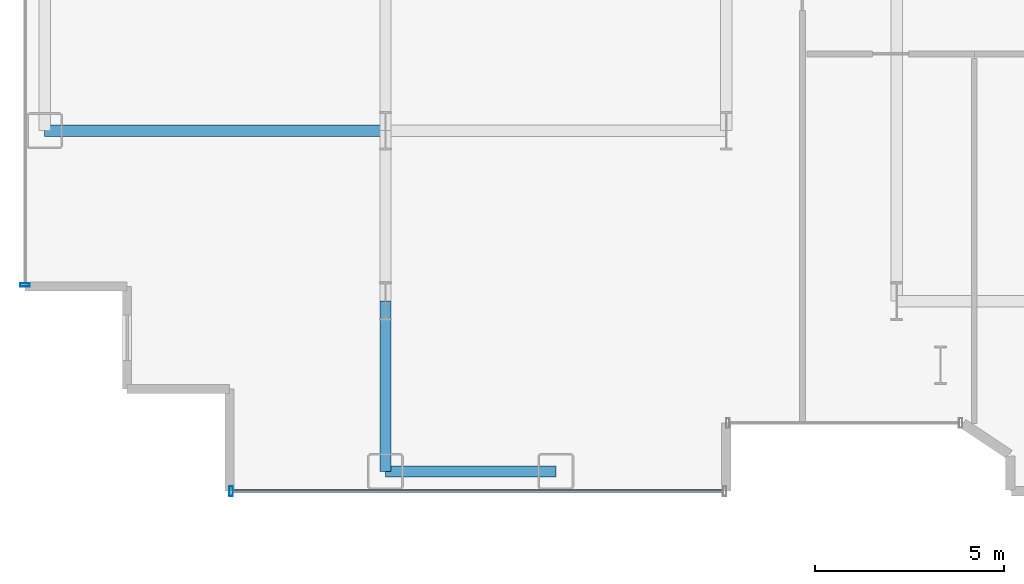
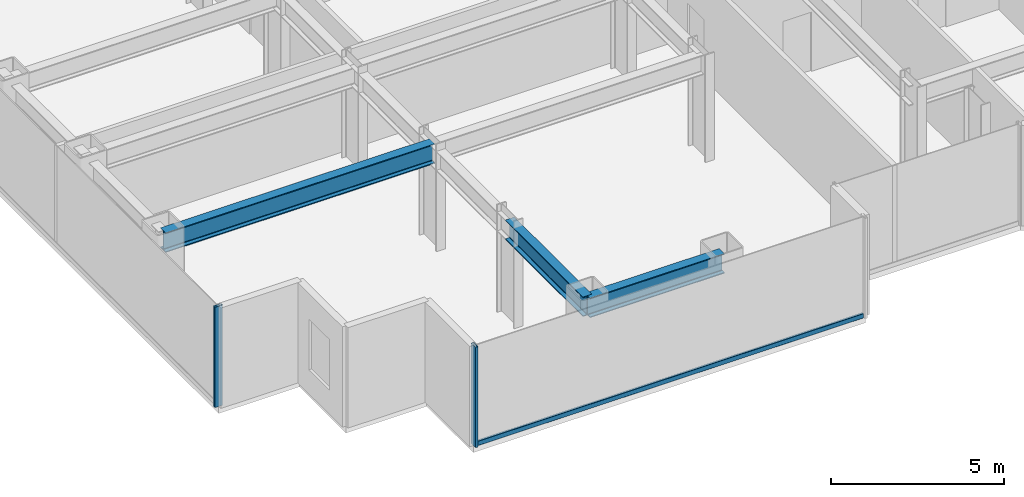
# One storey, part 2 of 26: 3 beams, 3 members, 2 elements without a shape of their own.
"""IFC4 building model written with IfcOpenShell, lengths in metres."""

import ifcopenshell
import ifcopenshell.guid

model = None  # the IFC model being written
_history = None  # IfcOwnerHistory: only IFC2X3 demands one
_inside = {}  # id of a spatial element -> (the spatial element, [elements in it])
_under = {}  # id of a project, library or spatial element -> (it, [spatial elements below it])
_declared = {}  # id of a project -> (the project, [libraries it declares])
_typed = {}  # id of a type object -> (the type object, [elements of that type])
_made_of = {}  # id of a material, layer set ... -> (it, [elements and type objects made of it])


def new_model(schema):
    """Start an empty IFC model of exactly this schema.

    Asked for "IFC4X3", IfcOpenShell would pick the latest addendum, in which some entities
    have other attributes; the version numbers below select the first issue.
    IFC2X3 requires an IfcOwnerHistory on every rooted entity: one is made here for all.
    """
    global model, _history
    if schema == "IFC4X3":
        model = ifcopenshell.file(schema_version=(4, 3, 0, 0))
    else:
        model = ifcopenshell.file(schema=schema)
    _inside.clear()
    _under.clear()
    _declared.clear()
    _typed.clear()
    _made_of.clear()
    _history = None
    if model.schema == "IFC2X3":
        org = make("IfcOrganization", Name="unknown")
        user = make(
            "IfcPersonAndOrganization",
            ThePerson=make("IfcPerson", FamilyName="unknown"),
            TheOrganization=org,
        )
        app = make(
            "IfcApplication",
            ApplicationDeveloper=org,
            Version="unknown",
            ApplicationFullName="unknown",
            ApplicationIdentifier="unknown",
        )
        _history = make(
            "IfcOwnerHistory",
            OwningUser=user,
            OwningApplication=app,
            ChangeAction="ADDED",
            CreationDate=0,
        )
    return model


def make(cls, **values):
    """One entity of the class cls with the attributes given. An attribute that is None is left unset."""
    return model.create_entity(
        cls, **{name: value for name, value in values.items() if value is not None}
    )


def rooted(cls, **values):
    """An entity with a GlobalId (a new one), such as an element, a storey or a relation."""
    return make(cls, GlobalId=ifcopenshell.guid.new(), OwnerHistory=_history, **values)


def si_unit(unit_type, name, prefix=None):
    """IfcSIUnit, for example si_unit("LENGTHUNIT", "METRE", prefix="MILLI")."""
    return make("IfcSIUnit", UnitType=unit_type, Prefix=prefix, Name=name)


def assignment(units):
    """IfcUnitAssignment: the units of a project."""
    return None if units is None else make("IfcUnitAssignment", Units=units)


def point(xyz):
    """IfcCartesianPoint."""
    return None if xyz is None else make("IfcCartesianPoint", Coordinates=xyz)


def direction(xyz):
    """IfcDirection."""
    return None if xyz is None else make("IfcDirection", DirectionRatios=xyz)


def frame(location, z_axis=None, x_axis=None):
    """IfcAxis2Placement3D, a coordinate frame: its origin and axes. An axis left out is left unset."""
    return make(
        "IfcAxis2Placement3D",
        Location=point(location),
        Axis=direction(z_axis),
        RefDirection=direction(x_axis),
    )


def frame_2d(location, x_axis=None):
    """IfcAxis2Placement2D, a coordinate frame in the plane: its origin and x axis."""
    return make(
        "IfcAxis2Placement2D", Location=point(location), RefDirection=direction(x_axis)
    )


def origin():
    """The frame at (0, 0, 0) with its axes left unset."""
    return frame((0.0, 0.0, 0.0))


def origin_2d():
    """The frame at (0, 0) in the plane with its x axis left unset."""
    return frame_2d((0.0, 0.0))


def place(relative_to, where):
    """IfcLocalPlacement: puts the frame where relative to a parent placement (None: the world)."""
    return make(
        "IfcLocalPlacement", PlacementRelTo=relative_to, RelativePlacement=where
    )


def context(
    kind, dimensions, precision=None, world=None, true_north=None, identifier=None
):
    """IfcGeometricRepresentationContext, for example the 3D "Model" context."""
    return make(
        "IfcGeometricRepresentationContext",
        ContextIdentifier=identifier,
        ContextType=kind,
        CoordinateSpaceDimension=dimensions,
        Precision=precision,
        WorldCoordinateSystem=world,
        TrueNorth=true_north,
    )


def subcontext(parent, identifier, kind, view, scale=None):
    """IfcGeometricRepresentationSubContext, for example "Body" below "Model"."""
    return make(
        "IfcGeometricRepresentationSubContext",
        ContextIdentifier=identifier,
        ContextType=kind,
        ParentContext=parent,
        TargetScale=scale,
        TargetView=view,
    )


def project(units=None, contexts=None):
    """IfcProject with its units and contexts."""
    return rooted(
        "IfcProject",
        Name="project",
        RepresentationContexts=contexts,
        UnitsInContext=assignment(units),
    )


def spatial(cls, under=None, at=None, **own):
    """A site, building, storey or space (cls), placed at a placement, below another one or the project."""
    s = rooted(cls, ObjectPlacement=at, **own)
    if under is not None:
        _under.setdefault(under.id(), (under, []))[1].append(s)
    return s


def profile(cls, at=None, kind="AREA", **sizes):
    """A parametric profile (cls). Its sizes go by their IFC names, for example OverallWidth=200.0."""
    return make(cls, ProfileType=kind, Position=at, **sizes)


def hollow_rectangle(**sizes):
    """IfcRectangleHollowProfileDef."""
    return profile("IfcRectangleHollowProfileDef", **sizes)


def i_section(**sizes):
    """IfcIShapeProfileDef."""
    return profile("IfcIShapeProfileDef", **sizes)


def extrude(swept, where, along, depth):
    """IfcExtrudedAreaSolid: the profile swept, set in the frame where, extruded along a direction by depth."""
    return make(
        "IfcExtrudedAreaSolid",
        SweptArea=swept,
        Position=where,
        ExtrudedDirection=direction(along),
        Depth=depth,
    )


def shape(context_of_items, identifier, shape_type, items):
    """IfcShapeRepresentation: the items that make up one representation, for example the "Body"."""
    return make(
        "IfcShapeRepresentation",
        ContextOfItems=context_of_items,
        RepresentationIdentifier=identifier,
        RepresentationType=shape_type,
        Items=items,
    )


def source(mapping_origin, context_of_items, identifier, shape_type, items):
    """IfcRepresentationMap: a shape defined once, which mapped items show again and again."""
    return make(
        "IfcRepresentationMap",
        MappingOrigin=mapping_origin,
        MappedRepresentation=shape(context_of_items, identifier, shape_type, items),
    )


def transform(
    local_origin,
    x_axis=None,
    y_axis=None,
    z_axis=None,
    scale=None,
    scale2=None,
    scale3=None,
    uniform=True,
):
    """IfcCartesianTransformationOperator3D, or its non-uniform kind. x_axis, y_axis, z_axis: its Axis1, 2, 3."""
    if uniform:
        return make(
            "IfcCartesianTransformationOperator3D",
            Axis1=direction(x_axis),
            Axis2=direction(y_axis),
            LocalOrigin=point(local_origin),
            Scale=scale,
            Axis3=direction(z_axis),
        )
    return make(
        "IfcCartesianTransformationOperator3DnonUniform",
        Axis1=direction(x_axis),
        Axis2=direction(y_axis),
        LocalOrigin=point(local_origin),
        Scale=scale,
        Axis3=direction(z_axis),
        Scale2=scale2,
        Scale3=scale3,
    )


def mapped(mapping_source, mapping_target):
    """IfcMappedItem: shows the shape of a source again, moved by a transform."""
    return make(
        "IfcMappedItem", MappingSource=mapping_source, MappingTarget=mapping_target
    )


def material(Name=None, Category=None):
    """IfcMaterial."""
    return make("IfcMaterial", Name=Name, Category=Category)


def layer(
    of_material, thickness, ventilated=None, Name=None, Category=None, Priority=None
):
    """IfcMaterialLayer: one layer of a wall or slab, of a material (None: an air gap)."""
    return make(
        "IfcMaterialLayer",
        Material=of_material,
        LayerThickness=thickness,
        IsVentilated=ventilated,
        Name=Name,
        Category=Category,
        Priority=Priority,
    )


def layer_set(layers, Name=None):
    """IfcMaterialLayerSet."""
    return make("IfcMaterialLayerSet", MaterialLayers=layers, LayerSetName=Name)


def material_profile(
    of_material, cross_section, Name=None, Category=None, Priority=None
):
    """IfcMaterialProfile: a cross section and its material."""
    return make(
        "IfcMaterialProfile",
        Name=Name,
        Material=of_material,
        Profile=cross_section,
        Priority=Priority,
        Category=Category,
    )


def profile_set(profiles, Name=None, composite=None):
    """IfcMaterialProfileSet."""
    return make(
        "IfcMaterialProfileSet",
        Name=Name,
        MaterialProfiles=profiles,
        CompositeProfile=composite,
    )


def made_of(thing, what):
    """Note that an element or type object is made of a material, layer set ...; save() writes the relation."""
    if what is not None:
        _made_of.setdefault(what.id(), (what, []))[1].append(thing)
    return thing


def type_object(cls, material=None, **own):
    """A type object (cls), such as IfcWallType, which elements share."""
    return made_of(rooted(cls, **own), material)


def element(
    cls,
    number,
    at=None,
    inside=None,
    cuts=None,
    type_object=None,
    material=None,
    context=None,
    identifier="Body",
    shape_type=None,
    held_by="IfcProductDefinitionShape",
    body=None,
    shapes=None,
    **own,
):
    """One element of the class cls, such as IfcWall. Its Tag is "e" and its number.

    at: its placement. inside: the storey or other place that contains it. cuts: it is an
    opening in that element (IfcRelVoidsElement). A single representation is given by context,
    identifier, shape_type and body (its items); several are given by shapes. held_by: the class
    of the entity that holds the representations. save() writes the other relations.
    """
    e = rooted(cls, Tag="e%d" % number, ObjectPlacement=at, **own)
    if body is not None:
        shapes = [shape(context, identifier, shape_type, body)]
    if shapes is not None:
        e.Representation = make(held_by, Representations=shapes)
    if inside is not None:
        _inside.setdefault(inside.id(), (inside, []))[1].append(e)
    if cuts is not None:
        rooted(
            "IfcRelVoidsElement", RelatingBuildingElement=cuts, RelatedOpeningElement=e
        )
    if type_object is not None:
        _typed.setdefault(type_object.id(), (type_object, []))[1].append(e)
    return made_of(e, material)


def aggregate(whole, parts):
    """IfcRelAggregates: a whole, such as a stair, and the parts it consists of."""
    return rooted("IfcRelAggregates", RelatingObject=whole, RelatedObjects=parts)


def save(model, path):
    """Write the relations noted so far, then the file.

    IfcRelAggregates (storeys below a building ...), IfcRelContainedInSpatialStructure (elements
    in a storey), IfcRelDefinesByType, IfcRelAssociatesMaterial and IfcRelDeclares: one each for
    every whole, place, type object, material and project.
    """
    for whole, parts in _under.values():
        aggregate(whole, parts)
    for where, things in _inside.values():
        rooted(
            "IfcRelContainedInSpatialStructure",
            RelatedElements=things,
            RelatingStructure=where,
        )
    for kind, things in _typed.values():
        rooted("IfcRelDefinesByType", RelatedObjects=things, RelatingType=kind)
    for what, things in _made_of.values():
        rooted("IfcRelAssociatesMaterial", RelatedObjects=things, RelatingMaterial=what)
    for by, libraries in _declared.values():
        rooted("IfcRelDeclares", RelatingContext=by, RelatedDefinitions=libraries)
    model.write(path)


model = new_model("IFC4")

# Units and contexts
model_context = context("Model", 3, precision=1e-05, world=origin(), true_north=direction((0.0, 1.0)))
body_context = subcontext(model_context, "Body", "Model", "MODEL_VIEW")
ifc_project = project(units=[si_unit("LENGTHUNIT", "METRE"), si_unit("AREAUNIT", "SQUARE_METRE"), si_unit("VOLUMEUNIT", "CUBIC_METRE"), si_unit("PLANEANGLEUNIT", "RADIAN"), si_unit("MASSUNIT", "GRAM", prefix="KILO")], contexts=[model_context])

# Site, building, storey
site_placement = place(None, origin())
site = spatial("IfcSite", under=ifc_project, at=site_placement, CompositionType="ELEMENT")
building_placement = place(site_placement, origin())
building = spatial("IfcBuilding", under=site, at=building_placement, Name="Nefas-Gora Pilgrimage Tower", CompositionType="ELEMENT")
storey_placement = place(building_placement, frame((0.0, 0.0, 40.60009765625)))
storey = spatial("IfcBuildingStorey", under=building, at=storey_placement, Name="L08", CompositionType="ELEMENT", Elevation=40.60009765625)

# Beams
ifc_material_1 = material(Name="Steel S355", Category="steel")
ifc_material_profile_1 = material_profile(ifc_material_1, i_section(OverallWidth=0.300048828125, OverallDepth=0.699951171875, WebThickness=0.01708984375, FlangeThickness=0.031982421875, FilletRadius=0.027099609375, at=origin_2d()), Name="HEB 700")
ifc_profile_set_1 = profile_set([ifc_material_profile_1], Name="Steel S355")
beam_type_1 = type_object("IfcBeamType", Name="BM-SPN-HEB600", PredefinedType="SPANDREL", material=ifc_profile_set_1)
shared_shape_1 = source(origin(), body_context, "Body", "SweptSolid", [
    extrude(i_section(OverallWidth=0.300048828125, OverallDepth=0.699951171875, WebThickness=0.01708984375, FlangeThickness=0.031982421875, FilletRadius=0.027099609375, at=origin_2d()), origin(), (0.0, 0.0, 1.0), 4.5),
])
beam_1_placement = place(storey_placement, frame((-24.75, -22.5, 3.199951171875), z_axis=(1.0, 0.0, 0.0), x_axis=(0.0, 1.0, 0.0)))
element("IfcBeam", 1, at=beam_1_placement, inside=storey, type_object=beam_type_1, Name="L08 SP-01 beam", PredefinedType="SPANDREL", context=body_context, shape_type="MappedRepresentation", body=[
    mapped(shared_shape_1, transform((0.0, 0.0, 0.0), x_axis=(1.0, 0.0, 0.0), y_axis=(0.0, 1.0, 0.0), z_axis=(0.0, 0.0, 1.0), scale=1.0)),
])
ifc_material_profile_2 = material_profile(ifc_material_1, i_section(OverallWidth=0.300048828125, OverallDepth=0.699951171875, WebThickness=0.01708984375, FlangeThickness=0.031982421875, FilletRadius=0.027099609375, at=origin_2d()), Name="HEB 700")
ifc_profile_set_2 = profile_set([ifc_material_profile_2], Name="Steel S355")
beam_type_2 = type_object("IfcBeamType", Name="BM-GIR-HEB700", PredefinedType="BEAM", material=ifc_profile_set_2)
shared_shape_2 = source(origin(), body_context, "Body", "SweptSolid", [
    extrude(i_section(OverallWidth=0.300048828125, OverallDepth=0.699951171875, WebThickness=0.01708984375, FlangeThickness=0.031982421875, FilletRadius=0.027099609375, at=origin_2d()), origin(), (0.0, 0.0, 1.0), 9.0),
])
beam_2_placement = place(storey_placement, frame((-33.75, -13.5, 3.199951171875), z_axis=(1.0, 0.0, 0.0), x_axis=(0.0, 1.0, 0.0)))
element("IfcBeam", 2, at=beam_2_placement, inside=storey, type_object=beam_type_2, Name="L08 G-02 beam", PredefinedType="BEAM", context=body_context, shape_type="MappedRepresentation", body=[
    mapped(shared_shape_2, transform((0.0, 0.0, 0.0), x_axis=(1.0, 0.0, 0.0), y_axis=(0.0, 1.0, 0.0), z_axis=(0.0, 0.0, 1.0), scale=1.0)),
])
shared_shape_3 = source(origin(), body_context, "Body", "SweptSolid", [
    extrude(i_section(OverallWidth=0.300048828125, OverallDepth=0.699951171875, WebThickness=0.01708984375, FlangeThickness=0.031982421875, FilletRadius=0.027099609375, at=origin_2d()), origin(), (0.0, 0.0, 1.0), 4.5),
])
beam_3_placement = place(storey_placement, frame((-24.75, -22.5, 3.199951171875), z_axis=(0.0, 1.0, 0.0), x_axis=(-1.0, 0.0, 0.0)))
element("IfcBeam", 3, at=beam_3_placement, inside=storey, type_object=beam_type_2, Name="L08 G-02 beam", PredefinedType="BEAM", context=body_context, shape_type="MappedRepresentation", body=[
    mapped(shared_shape_3, transform((0.0, 0.0, 0.0), x_axis=(1.0, 0.0, 0.0), y_axis=(0.0, 1.0, 0.0), z_axis=(0.0, 0.0, 1.0), scale=1.0)),
])

# Curtain wall, member
ifc_material_2 = material(Name="Dark ceramic-fritted solar-control aluminium-glass curtain wall", Category="aluminium")
ifc_layer = layer(ifc_material_2, 0.219970703125)
ifc_layer_set = layer_set([ifc_layer], Name="Dark ceramic-fritted solar-control aluminium-glass curtain wall")
curtain_wall_type = type_object("IfcCurtainWallType", Name="CW-SYS-2", PredefinedType="NOTDEFINED", material=ifc_layer_set)
curtain_wall_1_placement = place(storey_placement, origin())
curtain_wall_1 = element("IfcCurtainWall", 4, at=curtain_wall_1_placement, inside=storey, type_object=curtain_wall_type, Name="L08 Unitised Curtain Wall CW2", PredefinedType="NOTDEFINED")
ifc_material_3 = material(Name="Anodised architectural aluminium", Category="aluminium")
ifc_material_profile_3 = material_profile(ifc_material_3, hollow_rectangle(XDim=0.080078125, YDim=0.159912109375, WallThickness=0.00439453125, InnerFilletRadius=0.00439453125, OuterFilletRadius=0.009033203125, at=origin_2d()), Name="ALU TRANSOM 80x160")
ifc_profile_set_3 = profile_set([ifc_material_profile_3], Name="Anodised architectural aluminium")
member_type_1 = type_object("IfcMemberType", Name="CWM-TRN-2", PredefinedType="USERDEFINED", material=ifc_profile_set_3)
shared_shape_4 = source(origin(), body_context, "Body", "SweptSolid", [
    extrude(hollow_rectangle(XDim=0.080078125, YDim=0.159912109375, WallThickness=0.00439453125, InnerFilletRadius=0.00439453125, OuterFilletRadius=0.009033203125, at=origin_2d()), origin(), (0.0, 0.0, 1.0), 12.93994140625),
])
member_1_placement = place(storey_placement, frame((-28.780029296875, -23.02001953125, 0.0498046875), z_axis=(1.0, 0.0, 0.0), x_axis=(0.0, 1.0, 0.0)))
member_1 = element("IfcMember", 5, at=member_1_placement, type_object=member_type_1, Name="CW2 Spandrel Transom", ObjectType="TRANSOM", PredefinedType="USERDEFINED", context=body_context, shape_type="MappedRepresentation", body=[
    mapped(shared_shape_4, transform((0.0, 0.0, 0.0), x_axis=(1.0, 0.0, 0.0), y_axis=(0.0, 1.0, 0.0), z_axis=(0.0, 0.0, 1.0), scale=1.0)),
])

curtain_wall_2_placement = place(storey_placement, origin())
curtain_wall_2 = element("IfcCurtainWall", 6, at=curtain_wall_2_placement, inside=storey, type_object=curtain_wall_type, Name="L08 Unitised Curtain Wall CW2", PredefinedType="NOTDEFINED")
ifc_material_profile_4 = material_profile(ifc_material_3, hollow_rectangle(XDim=0.090087890625, YDim=0.260009765625, WallThickness=0.006103515625, InnerFilletRadius=0.006103515625, OuterFilletRadius=0.011962890625, at=origin_2d()), Name="ALU MULLION 90x260")
ifc_profile_set_4 = profile_set([ifc_material_profile_4], Name="Anodised architectural aluminium")
member_type_2 = type_object("IfcMemberType", Name="CWM-MUL-2", PredefinedType="MULLION", material=ifc_profile_set_4)
shared_shape_5 = source(origin(), body_context, "Body", "SweptSolid", [
    extrude(hollow_rectangle(XDim=0.090087890625, YDim=0.260009765625, WallThickness=0.006103515625, InnerFilletRadius=0.006103515625, OuterFilletRadius=0.011962890625, at=origin_2d()), origin(), (0.0, 0.0, 1.0), 3.5498046875),
])
member_2_placement = place(storey_placement, frame((-34.27001953125, -17.574951171875, 0.0), z_axis=(0.0, 0.0, 1.0), x_axis=(0.0, -1.0, 0.0)))
member_2 = element("IfcMember", 7, at=member_2_placement, type_object=member_type_2, Name="CW2 Mullion 2", PredefinedType="MULLION", context=body_context, shape_type="MappedRepresentation", body=[
    mapped(shared_shape_5, transform((0.0, 0.0, 0.0), x_axis=(1.0, 0.0, 0.0), y_axis=(0.0, 1.0, 0.0), z_axis=(0.0, 0.0, 1.0), scale=1.0)),
])
aggregate(curtain_wall_2, [member_2])

# Member
member_3_placement = place(storey_placement, frame((-28.824951171875, -23.02001953125, 0.0), z_axis=(0.0, 0.0, 1.0), x_axis=(1.0, 0.0, 0.0)))
member_3 = element("IfcMember", 8, at=member_3_placement, type_object=member_type_2, Name="CW2 Mullion 1", PredefinedType="MULLION", context=body_context, shape_type="MappedRepresentation", body=[
    mapped(shared_shape_5, transform((0.0, 0.0, 0.0), x_axis=(1.0, 0.0, 0.0), y_axis=(0.0, 1.0, 0.0), z_axis=(0.0, 0.0, 1.0), scale=1.0)),
])

aggregate(curtain_wall_1, [member_3, member_1])

save(model, "model.ifc")
